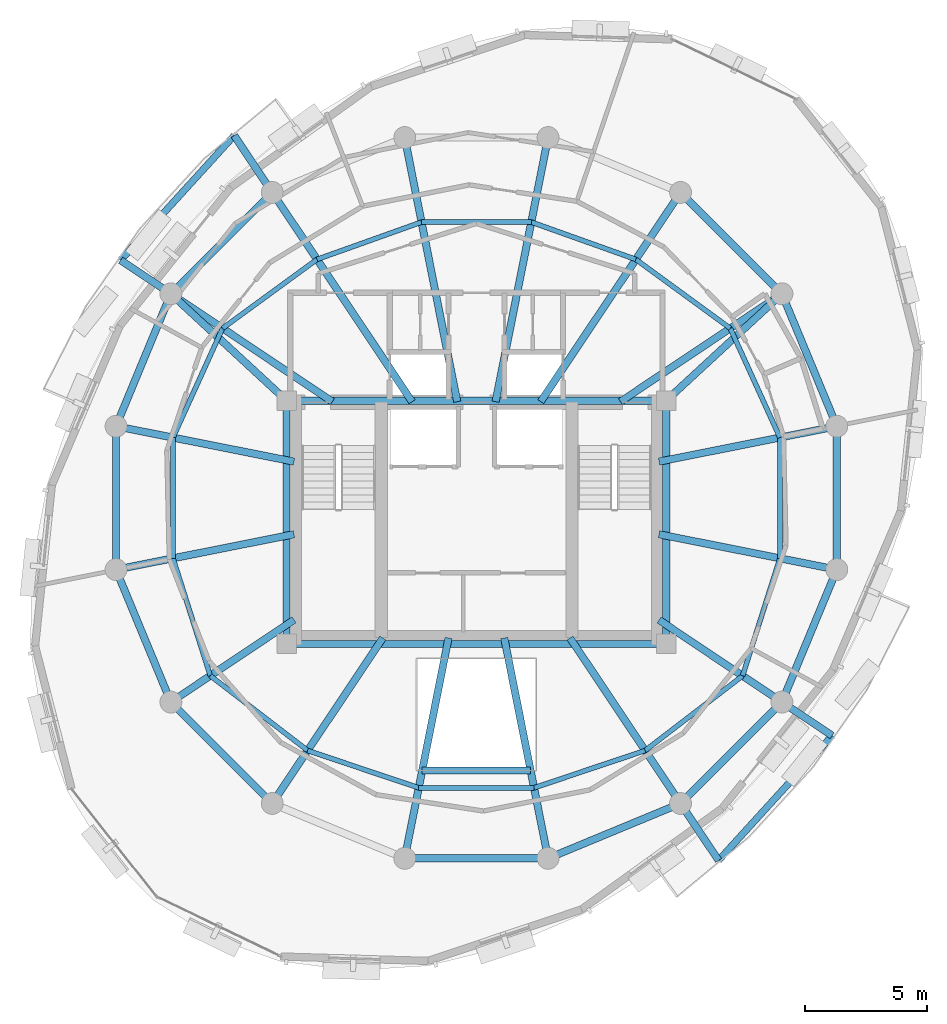
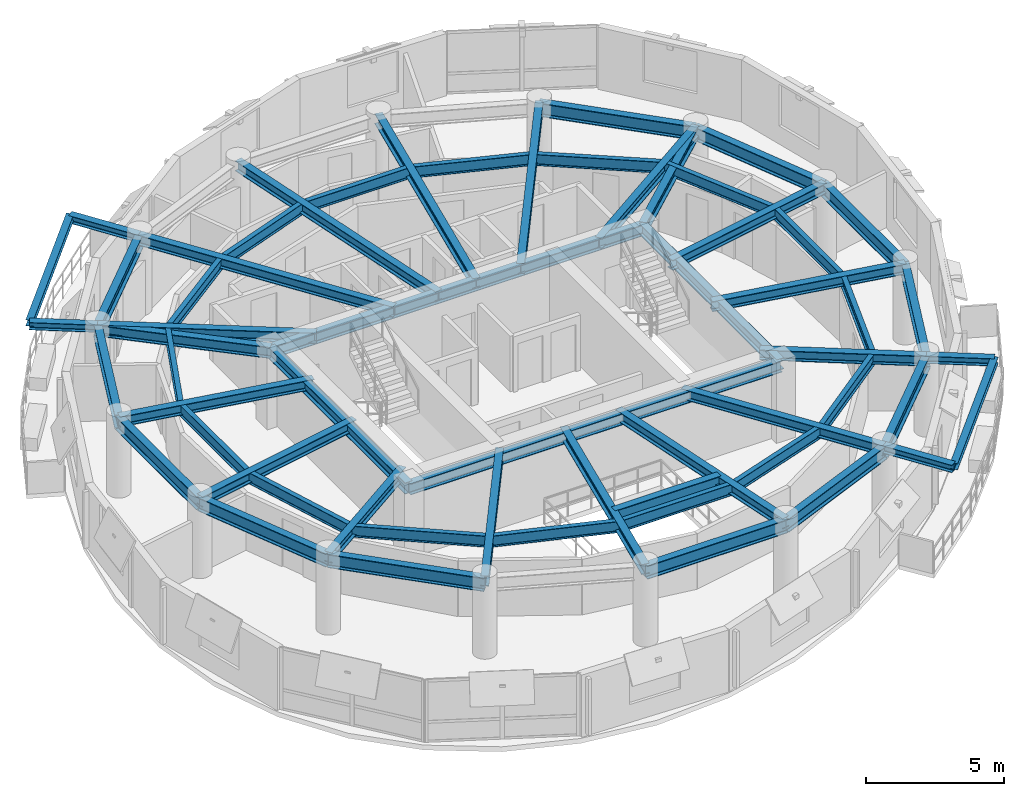
# One storey, part 3 of 11: 57 beams.
"""IFC4 building model written with IfcOpenShell, lengths in metres."""

import ifcopenshell
import ifcopenshell.guid

model = None  # the IFC model being written
_history = None  # IfcOwnerHistory: only IFC2X3 demands one
_inside = {}  # id of a spatial element -> (the spatial element, [elements in it])
_under = {}  # id of a project, library or spatial element -> (it, [spatial elements below it])
_declared = {}  # id of a project -> (the project, [libraries it declares])
_typed = {}  # id of a type object -> (the type object, [elements of that type])
_made_of = {}  # id of a material, layer set ... -> (it, [elements and type objects made of it])


def new_model(schema):
    """Start an empty IFC model of exactly this schema.

    Asked for "IFC4X3", IfcOpenShell would pick the latest addendum, in which some entities
    have other attributes; the version numbers below select the first issue.
    IFC2X3 requires an IfcOwnerHistory on every rooted entity: one is made here for all.
    """
    global model, _history
    if schema == "IFC4X3":
        model = ifcopenshell.file(schema_version=(4, 3, 0, 0))
    else:
        model = ifcopenshell.file(schema=schema)
    _inside.clear()
    _under.clear()
    _declared.clear()
    _typed.clear()
    _made_of.clear()
    _history = None
    if model.schema == "IFC2X3":
        org = make("IfcOrganization", Name="unknown")
        user = make(
            "IfcPersonAndOrganization",
            ThePerson=make("IfcPerson", FamilyName="unknown"),
            TheOrganization=org,
        )
        app = make(
            "IfcApplication",
            ApplicationDeveloper=org,
            Version="unknown",
            ApplicationFullName="unknown",
            ApplicationIdentifier="unknown",
        )
        _history = make(
            "IfcOwnerHistory",
            OwningUser=user,
            OwningApplication=app,
            ChangeAction="ADDED",
            CreationDate=0,
        )
    return model


def make(cls, **values):
    """One entity of the class cls with the attributes given. An attribute that is None is left unset."""
    return model.create_entity(
        cls, **{name: value for name, value in values.items() if value is not None}
    )


def rooted(cls, **values):
    """An entity with a GlobalId (a new one), such as an element, a storey or a relation."""
    return make(cls, GlobalId=ifcopenshell.guid.new(), OwnerHistory=_history, **values)


def si_unit(unit_type, name, prefix=None):
    """IfcSIUnit, for example si_unit("LENGTHUNIT", "METRE", prefix="MILLI")."""
    return make("IfcSIUnit", UnitType=unit_type, Prefix=prefix, Name=name)


def assignment(units):
    """IfcUnitAssignment: the units of a project."""
    return None if units is None else make("IfcUnitAssignment", Units=units)


def point(xyz):
    """IfcCartesianPoint."""
    return None if xyz is None else make("IfcCartesianPoint", Coordinates=xyz)


def direction(xyz):
    """IfcDirection."""
    return None if xyz is None else make("IfcDirection", DirectionRatios=xyz)


def frame(location, z_axis=None, x_axis=None):
    """IfcAxis2Placement3D, a coordinate frame: its origin and axes. An axis left out is left unset."""
    return make(
        "IfcAxis2Placement3D",
        Location=point(location),
        Axis=direction(z_axis),
        RefDirection=direction(x_axis),
    )


def frame_2d(location, x_axis=None):
    """IfcAxis2Placement2D, a coordinate frame in the plane: its origin and x axis."""
    return make(
        "IfcAxis2Placement2D", Location=point(location), RefDirection=direction(x_axis)
    )


def origin():
    """The frame at (0, 0, 0) with its axes left unset."""
    return frame((0.0, 0.0, 0.0))


def origin_2d():
    """The frame at (0, 0) in the plane with its x axis left unset."""
    return frame_2d((0.0, 0.0))


def place(relative_to, where):
    """IfcLocalPlacement: puts the frame where relative to a parent placement (None: the world)."""
    return make(
        "IfcLocalPlacement", PlacementRelTo=relative_to, RelativePlacement=where
    )


def context(
    kind, dimensions, precision=None, world=None, true_north=None, identifier=None
):
    """IfcGeometricRepresentationContext, for example the 3D "Model" context."""
    return make(
        "IfcGeometricRepresentationContext",
        ContextIdentifier=identifier,
        ContextType=kind,
        CoordinateSpaceDimension=dimensions,
        Precision=precision,
        WorldCoordinateSystem=world,
        TrueNorth=true_north,
    )


def subcontext(parent, identifier, kind, view, scale=None):
    """IfcGeometricRepresentationSubContext, for example "Body" below "Model"."""
    return make(
        "IfcGeometricRepresentationSubContext",
        ContextIdentifier=identifier,
        ContextType=kind,
        ParentContext=parent,
        TargetScale=scale,
        TargetView=view,
    )


def project(units=None, contexts=None):
    """IfcProject with its units and contexts."""
    return rooted(
        "IfcProject",
        Name="project",
        RepresentationContexts=contexts,
        UnitsInContext=assignment(units),
    )


def spatial(cls, under=None, at=None, **own):
    """A site, building, storey or space (cls), placed at a placement, below another one or the project."""
    s = rooted(cls, ObjectPlacement=at, **own)
    if under is not None:
        _under.setdefault(under.id(), (under, []))[1].append(s)
    return s


def profile(cls, at=None, kind="AREA", **sizes):
    """A parametric profile (cls). Its sizes go by their IFC names, for example OverallWidth=200.0."""
    return make(cls, ProfileType=kind, Position=at, **sizes)


def i_section(**sizes):
    """IfcIShapeProfileDef."""
    return profile("IfcIShapeProfileDef", **sizes)


def extrude(swept, where, along, depth):
    """IfcExtrudedAreaSolid: the profile swept, set in the frame where, extruded along a direction by depth."""
    return make(
        "IfcExtrudedAreaSolid",
        SweptArea=swept,
        Position=where,
        ExtrudedDirection=direction(along),
        Depth=depth,
    )


def shape(context_of_items, identifier, shape_type, items):
    """IfcShapeRepresentation: the items that make up one representation, for example the "Body"."""
    return make(
        "IfcShapeRepresentation",
        ContextOfItems=context_of_items,
        RepresentationIdentifier=identifier,
        RepresentationType=shape_type,
        Items=items,
    )


def material(Name=None, Category=None):
    """IfcMaterial."""
    return make("IfcMaterial", Name=Name, Category=Category)


def material_profile(
    of_material, cross_section, Name=None, Category=None, Priority=None
):
    """IfcMaterialProfile: a cross section and its material."""
    return make(
        "IfcMaterialProfile",
        Name=Name,
        Material=of_material,
        Profile=cross_section,
        Priority=Priority,
        Category=Category,
    )


def profile_set(profiles, Name=None, composite=None):
    """IfcMaterialProfileSet."""
    return make(
        "IfcMaterialProfileSet",
        Name=Name,
        MaterialProfiles=profiles,
        CompositeProfile=composite,
    )


def made_of(thing, what):
    """Note that an element or type object is made of a material, layer set ...; save() writes the relation."""
    if what is not None:
        _made_of.setdefault(what.id(), (what, []))[1].append(thing)
    return thing


def type_object(cls, material=None, **own):
    """A type object (cls), such as IfcWallType, which elements share."""
    return made_of(rooted(cls, **own), material)


def element(
    cls,
    number,
    at=None,
    inside=None,
    cuts=None,
    type_object=None,
    material=None,
    context=None,
    identifier="Body",
    shape_type=None,
    held_by="IfcProductDefinitionShape",
    body=None,
    shapes=None,
    **own,
):
    """One element of the class cls, such as IfcWall. Its Tag is "e" and its number.

    at: its placement. inside: the storey or other place that contains it. cuts: it is an
    opening in that element (IfcRelVoidsElement). A single representation is given by context,
    identifier, shape_type and body (its items); several are given by shapes. held_by: the class
    of the entity that holds the representations. save() writes the other relations.
    """
    e = rooted(cls, Tag="e%d" % number, ObjectPlacement=at, **own)
    if body is not None:
        shapes = [shape(context, identifier, shape_type, body)]
    if shapes is not None:
        e.Representation = make(held_by, Representations=shapes)
    if inside is not None:
        _inside.setdefault(inside.id(), (inside, []))[1].append(e)
    if cuts is not None:
        rooted(
            "IfcRelVoidsElement", RelatingBuildingElement=cuts, RelatedOpeningElement=e
        )
    if type_object is not None:
        _typed.setdefault(type_object.id(), (type_object, []))[1].append(e)
    return made_of(e, material)


def aggregate(whole, parts):
    """IfcRelAggregates: a whole, such as a stair, and the parts it consists of."""
    return rooted("IfcRelAggregates", RelatingObject=whole, RelatedObjects=parts)


def save(model, path):
    """Write the relations noted so far, then the file.

    IfcRelAggregates (storeys below a building ...), IfcRelContainedInSpatialStructure (elements
    in a storey), IfcRelDefinesByType, IfcRelAssociatesMaterial and IfcRelDeclares: one each for
    every whole, place, type object, material and project.
    """
    for whole, parts in _under.values():
        aggregate(whole, parts)
    for where, things in _inside.values():
        rooted(
            "IfcRelContainedInSpatialStructure",
            RelatedElements=things,
            RelatingStructure=where,
        )
    for kind, things in _typed.values():
        rooted("IfcRelDefinesByType", RelatedObjects=things, RelatingType=kind)
    for what, things in _made_of.values():
        rooted("IfcRelAssociatesMaterial", RelatedObjects=things, RelatingMaterial=what)
    for by, libraries in _declared.values():
        rooted("IfcRelDeclares", RelatingContext=by, RelatedDefinitions=libraries)
    model.write(path)


model = new_model("IFC4")

# Units and contexts
model_context = context("Model", 3, precision=1e-05, world=origin(), true_north=direction((0.0, 1.0)))
body_context = subcontext(model_context, "Body", "Model", "MODEL_VIEW")
ifc_project = project(units=[si_unit("LENGTHUNIT", "METRE"), si_unit("AREAUNIT", "SQUARE_METRE"), si_unit("VOLUMEUNIT", "CUBIC_METRE"), si_unit("PLANEANGLEUNIT", "RADIAN"), si_unit("MASSUNIT", "GRAM", prefix="KILO"), si_unit("THERMODYNAMICTEMPERATUREUNIT", "KELVIN"), si_unit("POWERUNIT", "WATT")], contexts=[model_context])

# Site, building, storey
site_placement = place(None, origin())
site = spatial("IfcSite", under=ifc_project, at=site_placement, CompositionType="ELEMENT")
building_placement = place(site_placement, origin())
building = spatial("IfcBuilding", under=site, at=building_placement, Name="Ocrelia Relay Tower", CompositionType="ELEMENT")
storey_placement = place(building_placement, frame((0.0, 0.0, 244.800048828125)))
storey = spatial("IfcBuildingStorey", under=building, at=storey_placement, Name="L60", CompositionType="ELEMENT", Elevation=244.800048828125)

# Beams
ifc_material = material(Name="Steel S355", Category="steel")
ifc_material_profile_1 = material_profile(ifc_material, i_section(OverallWidth=0.280029296875, OverallDepth=0.27001953125, WebThickness=0.008056640625, FlangeThickness=0.012939453125, FilletRadius=0.02392578125, at=origin_2d()), Name="HEA 280")
ifc_profile_set_1 = profile_set([ifc_material_profile_1], Name="Steel S355")
beam_type_1 = type_object("IfcBeamType", Name="BM-HEA280", PredefinedType="BEAM", material=ifc_profile_set_1)
for number, where, z_axis, x_axis, name in (
    (1, (24.047607421875, 40.89501953125, 3.244873046875), (-0.673247509808, -0.739417196539, 0.0), (0.739417196539, -0.673247509808, 0.0), "L61 Balcony Edge Trimmer Beam B1"),
    (2, (43.952392578125, 11.10498046875, 3.244873046875), (0.673247509808, 0.739417196539, 0.0), (-0.739417196539, 0.673247509808, 0.0), "L61 Balcony Edge Trimmer Beam B2"),
):
    element("IfcBeam", number, at=place(storey_placement, frame(where, z_axis=z_axis, x_axis=x_axis)), inside=storey, type_object=beam_type_1, Name=name, PredefinedType="BEAM", context=body_context, shape_type="SweptSolid", body=[
        extrude(i_section(OverallWidth=0.280029296875, OverallDepth=0.27001953125, WebThickness=0.008056640625, FlangeThickness=0.012939453125, FilletRadius=0.02392578125, at=origin_2d()), origin(), (0.0, 0.0, 1.0), 6.932861328125),
    ])
ifc_material_profile_2 = material_profile(ifc_material, i_section(OverallWidth=0.300048828125, OverallDepth=0.330078125, WebThickness=0.009521484375, FlangeThickness=0.0166015625, FilletRadius=0.027099609375, at=origin_2d()), Name="HEA 340")
ifc_profile_set_2 = profile_set([ifc_material_profile_2], Name="Steel S355")
beam_type_2 = type_object("IfcBeamType", Name="BM-HEA340", PredefinedType="BEAM", material=ifc_profile_set_2)
beam_1_placement = place(storey_placement, frame((25.61083984375, 38.55517578125, 3.21484375), z_axis=(-0.555520804214, 0.831502637449, 0.0), x_axis=(-0.831502637449, -0.555520804214, 0.0)))
element("IfcBeam", 3, at=beam_1_placement, inside=storey, type_object=beam_type_2, Name="L61 Balcony Cantilever Beam B1-1", PredefinedType="BEAM", context=body_context, shape_type="SweptSolid", body=[
    extrude(i_section(OverallWidth=0.300048828125, OverallDepth=0.330078125, WebThickness=0.009521484375, FlangeThickness=0.0166015625, FilletRadius=0.027099609375, at=origin_2d()), origin(), (0.0, 0.0, 1.0), 2.81396484375),
])
beam_2_placement = place(storey_placement, frame((21.44482421875, 34.38916015625, 3.21484375), z_axis=(-0.831459926768, 0.555584728174, 0.0), x_axis=(-0.555584728174, -0.831459926768, 0.0)))
element("IfcBeam", 4, at=beam_2_placement, inside=storey, type_object=beam_type_2, Name="L61 Balcony Cantilever Beam B1-2", PredefinedType="BEAM", context=body_context, shape_type="SweptSolid", body=[
    extrude(i_section(OverallWidth=0.300048828125, OverallDepth=0.330078125, WebThickness=0.009521484375, FlangeThickness=0.0166015625, FilletRadius=0.027099609375, at=origin_2d()), origin(), (0.0, 0.0, 1.0), 2.483154296875),
])
beam_3_placement = place(storey_placement, frame((42.38916015625, 13.44482421875, 3.21484375), z_axis=(0.555520804214, -0.831502637449, 0.0), x_axis=(0.831502637449, 0.555520804214, 0.0)))
element("IfcBeam", 5, at=beam_3_placement, inside=storey, type_object=beam_type_2, Name="L61 Balcony Cantilever Beam B2-1", PredefinedType="BEAM", context=body_context, shape_type="SweptSolid", body=[
    extrude(i_section(OverallWidth=0.300048828125, OverallDepth=0.330078125, WebThickness=0.009521484375, FlangeThickness=0.0166015625, FilletRadius=0.027099609375, at=origin_2d()), origin(), (0.0, 0.0, 1.0), 2.81396484375),
])
beam_4_placement = place(storey_placement, frame((46.55517578125, 17.61083984375, 3.21484375), z_axis=(0.831459926768, -0.555584728174, 0.0), x_axis=(0.555584728174, 0.831459926768, 0.0)))
element("IfcBeam", 6, at=beam_4_placement, inside=storey, type_object=beam_type_2, Name="L61 Balcony Cantilever Beam B2-2", PredefinedType="BEAM", context=body_context, shape_type="SweptSolid", body=[
    extrude(i_section(OverallWidth=0.300048828125, OverallDepth=0.330078125, WebThickness=0.009521484375, FlangeThickness=0.0166015625, FilletRadius=0.027099609375, at=origin_2d()), origin(), (0.0, 0.0, 1.0), 2.483154296875),
])
ifc_material_profile_3 = material_profile(ifc_material, i_section(OverallWidth=0.300048828125, OverallDepth=0.449951171875, WebThickness=0.013916015625, FlangeThickness=0.02587890625, FilletRadius=0.027099609375, at=origin_2d()), Name="HEB 450")
ifc_profile_set_3 = profile_set([ifc_material_profile_3], Name="Steel S355")
beam_type_3 = type_object("IfcBeamType", Name="BM-HEB450", PredefinedType="BEAM", material=ifc_profile_set_3)
beam_5_placement = place(storey_placement, frame((48.809814453125, 28.94580078125, 3.155029296875), z_axis=(-0.980789400571, -0.195069607393, 0.0), x_axis=(0.195069607393, -0.980789400571, 0.0)))
element("IfcBeam", 7, at=beam_5_placement, inside=storey, type_object=beam_type_3, Name="L60 Radial Floor Girder R01", PredefinedType="BEAM", context=body_context, shape_type="SweptSolid", body=[
    extrude(i_section(OverallWidth=0.300048828125, OverallDepth=0.449951171875, WebThickness=0.013916015625, FlangeThickness=0.02587890625, FilletRadius=0.027099609375, at=origin_2d()), origin(), (0.0, 0.0, 1.0), 7.447998046875),
])
beam_6_placement = place(storey_placement, frame((46.55517578125, 34.38916015625, 3.155029296875), z_axis=(-0.83146627118, -0.555575233331, 0.0), x_axis=(0.555575233331, -0.83146627118, 0.0)))
element("IfcBeam", 8, at=beam_6_placement, inside=storey, type_object=beam_type_3, Name="L60 Radial Floor Girder R02", PredefinedType="BEAM", context=body_context, shape_type="SweptSolid", body=[
    extrude(i_section(OverallWidth=0.300048828125, OverallDepth=0.449951171875, WebThickness=0.013916015625, FlangeThickness=0.02587890625, FilletRadius=0.027099609375, at=origin_2d()), origin(), (0.0, 0.0, 1.0), 7.98095703125),
])
beam_7_placement = place(storey_placement, frame((42.38916015625, 38.55517578125, 3.155029296875), z_axis=(-0.555582296999, -0.831461551283, 0.0), x_axis=(0.831461551283, -0.555582296999, 0.0)))
element("IfcBeam", 9, at=beam_7_placement, inside=storey, type_object=beam_type_3, Name="L60 Radial Floor Girder R03", PredefinedType="BEAM", context=body_context, shape_type="SweptSolid", body=[
    extrude(i_section(OverallWidth=0.300048828125, OverallDepth=0.449951171875, WebThickness=0.013916015625, FlangeThickness=0.02587890625, FilletRadius=0.027099609375, at=origin_2d()), origin(), (0.0, 0.0, 1.0), 10.34326171875),
])
for number, where, z_axis, x_axis, name in (
    (10, (36.94580078125, 40.809814453125, 3.155029296875), (-0.195093658495, -0.98078461673, 0.0), (0.98078461673, -0.195093658495, 0.0), "L60 Radial Floor Girder R04"),
    (11, (31.05419921875, 40.809814453125, 3.155029296875), (0.195093658495, -0.98078461673, 0.0), (0.98078461673, 0.195093658495, 0.0), "L60 Radial Floor Girder R05"),
):
    element("IfcBeam", number, at=place(storey_placement, frame(where, z_axis=z_axis, x_axis=x_axis)), inside=storey, type_object=beam_type_3, Name=name, PredefinedType="BEAM", context=body_context, shape_type="SweptSolid", body=[
        extrude(i_section(OverallWidth=0.300048828125, OverallDepth=0.449951171875, WebThickness=0.013916015625, FlangeThickness=0.02587890625, FilletRadius=0.027099609375, at=origin_2d()), origin(), (0.0, 0.0, 1.0), 11.0673828125),
    ])
beam_8_placement = place(storey_placement, frame((25.61083984375, 38.55517578125, 3.155029296875), z_axis=(0.555582296999, -0.831461551283, 0.0), x_axis=(0.831461551283, 0.555582296999, 0.0)))
element("IfcBeam", 12, at=beam_8_placement, inside=storey, type_object=beam_type_3, Name="L60 Radial Floor Girder R06", PredefinedType="BEAM", context=body_context, shape_type="SweptSolid", body=[
    extrude(i_section(OverallWidth=0.300048828125, OverallDepth=0.449951171875, WebThickness=0.013916015625, FlangeThickness=0.02587890625, FilletRadius=0.027099609375, at=origin_2d()), origin(), (0.0, 0.0, 1.0), 10.34326171875),
])
beam_9_placement = place(storey_placement, frame((21.44482421875, 34.38916015625, 3.155029296875), z_axis=(0.83146627118, -0.555575233331, 0.0), x_axis=(0.555575233331, 0.83146627118, 0.0)))
element("IfcBeam", 13, at=beam_9_placement, inside=storey, type_object=beam_type_3, Name="L60 Radial Floor Girder R07", PredefinedType="BEAM", context=body_context, shape_type="SweptSolid", body=[
    extrude(i_section(OverallWidth=0.300048828125, OverallDepth=0.449951171875, WebThickness=0.013916015625, FlangeThickness=0.02587890625, FilletRadius=0.027099609375, at=origin_2d()), origin(), (0.0, 0.0, 1.0), 7.98095703125),
])
for number, where, z_axis, x_axis, name in (
    (14, (19.190185546875, 28.94580078125, 3.155029296875), (0.980789122594, -0.195071005024, 0.0), (0.195071005024, 0.980789122594, 0.0), "L60 Radial Floor Girder R08"),
    (15, (19.190185546875, 23.05419921875, 3.155029296875), (0.980789122594, 0.195071005024, 0.0), (-0.195071005024, 0.980789122594, 0.0), "L60 Radial Floor Girder R09"),
):
    element("IfcBeam", number, at=place(storey_placement, frame(where, z_axis=z_axis, x_axis=x_axis)), inside=storey, type_object=beam_type_3, Name=name, PredefinedType="BEAM", context=body_context, shape_type="SweptSolid", body=[
        extrude(i_section(OverallWidth=0.300048828125, OverallDepth=0.449951171875, WebThickness=0.013916015625, FlangeThickness=0.02587890625, FilletRadius=0.027099609375, at=origin_2d()), origin(), (0.0, 0.0, 1.0), 7.4580078125),
    ])
beam_10_placement = place(storey_placement, frame((21.44482421875, 17.61083984375, 3.155029296875), z_axis=(0.831463505153, 0.555579372906, 0.0), x_axis=(-0.555579372906, 0.831463505153, 0.0)))
element("IfcBeam", 16, at=beam_10_placement, inside=storey, type_object=beam_type_3, Name="L60 Radial Floor Girder R10", PredefinedType="BEAM", context=body_context, shape_type="SweptSolid", body=[
    extrude(i_section(OverallWidth=0.300048828125, OverallDepth=0.449951171875, WebThickness=0.013916015625, FlangeThickness=0.02587890625, FilletRadius=0.027099609375, at=origin_2d()), origin(), (0.0, 0.0, 1.0), 6.085693359375),
])
beam_11_placement = place(storey_placement, frame((25.61083984375, 13.44482421875, 3.155029296875), z_axis=(0.555560991962, 0.831475786906, 0.0), x_axis=(-0.831475786906, 0.555560991962, 0.0)))
element("IfcBeam", 17, at=beam_11_placement, inside=storey, type_object=beam_type_3, Name="L60 Radial Floor Girder R11", PredefinedType="BEAM", context=body_context, shape_type="SweptSolid", body=[
    extrude(i_section(OverallWidth=0.300048828125, OverallDepth=0.449951171875, WebThickness=0.013916015625, FlangeThickness=0.02587890625, FilletRadius=0.027099609375, at=origin_2d()), origin(), (0.0, 0.0, 1.0), 8.178466796875),
])
for number, where, z_axis, x_axis, name in (
    (18, (31.05419921875, 11.190185546875, 3.155029296875), (0.195078600472, 0.98078761189, 0.0), (-0.98078761189, 0.195078600472, 0.0), "L60 Radial Floor Girder R12"),
    (19, (36.94580078125, 11.190185546875, 3.155029296875), (-0.195078600472, 0.98078761189, 0.0), (-0.98078761189, -0.195078600472, 0.0), "L60 Radial Floor Girder R13"),
):
    element("IfcBeam", number, at=place(storey_placement, frame(where, z_axis=z_axis, x_axis=x_axis)), inside=storey, type_object=beam_type_3, Name=name, PredefinedType="BEAM", context=body_context, shape_type="SweptSolid", body=[
        extrude(i_section(OverallWidth=0.300048828125, OverallDepth=0.449951171875, WebThickness=0.013916015625, FlangeThickness=0.02587890625, FilletRadius=0.027099609375, at=origin_2d()), origin(), (0.0, 0.0, 1.0), 9.232421875),
    ])
beam_12_placement = place(storey_placement, frame((42.38916015625, 13.44482421875, 3.155029296875), z_axis=(-0.555560991962, 0.831475786906, 0.0), x_axis=(-0.831475786906, -0.555560991962, 0.0)))
element("IfcBeam", 20, at=beam_12_placement, inside=storey, type_object=beam_type_3, Name="L60 Radial Floor Girder R14", PredefinedType="BEAM", context=body_context, shape_type="SweptSolid", body=[
    extrude(i_section(OverallWidth=0.300048828125, OverallDepth=0.449951171875, WebThickness=0.013916015625, FlangeThickness=0.02587890625, FilletRadius=0.027099609375, at=origin_2d()), origin(), (0.0, 0.0, 1.0), 8.178466796875),
])
beam_13_placement = place(storey_placement, frame((46.55517578125, 17.61083984375, 3.155029296875), z_axis=(-0.831468559595, 0.555571808504, 0.0), x_axis=(-0.555571808504, -0.831468559595, 0.0)))
element("IfcBeam", 21, at=beam_13_placement, inside=storey, type_object=beam_type_3, Name="L60 Radial Floor Girder R15", PredefinedType="BEAM", context=body_context, shape_type="SweptSolid", body=[
    extrude(i_section(OverallWidth=0.300048828125, OverallDepth=0.449951171875, WebThickness=0.013916015625, FlangeThickness=0.02587890625, FilletRadius=0.027099609375, at=origin_2d()), origin(), (0.0, 0.0, 1.0), 6.073974609375),
])
beam_14_placement = place(storey_placement, frame((48.809814453125, 23.05419921875, 3.155029296875), z_axis=(-0.980789400571, 0.195069607393, 0.0), x_axis=(-0.195069607393, -0.980789400571, 0.0)))
element("IfcBeam", 22, at=beam_14_placement, inside=storey, type_object=beam_type_3, Name="L60 Radial Floor Girder R16", PredefinedType="BEAM", context=body_context, shape_type="SweptSolid", body=[
    extrude(i_section(OverallWidth=0.300048828125, OverallDepth=0.449951171875, WebThickness=0.013916015625, FlangeThickness=0.02587890625, FilletRadius=0.027099609375, at=origin_2d()), origin(), (0.0, 0.0, 1.0), 7.447998046875),
])
ifc_material_profile_4 = material_profile(ifc_material, i_section(OverallWidth=0.300048828125, OverallDepth=0.5, WebThickness=0.014404296875, FlangeThickness=0.028076171875, FilletRadius=0.027099609375, at=origin_2d()), Name="HEB 500")
ifc_profile_set_4 = profile_set([ifc_material_profile_4], Name="Steel S355")
beam_type_4 = type_object("IfcBeamType", Name="BM-HEB500", PredefinedType="BEAM", material=ifc_profile_set_4)
for number, where, z_axis, x_axis, name in (
    (23, (26.199951171875, 20.0, 3.1298828125), (1.0, 0.0, 0.0), (0.0, 1.0, 0.0), "L60 Core Pilaster Tie Beam S"),
    (24, (26.199951171875, 30.0, 3.1298828125), (1.0, 0.0, 0.0), (0.0, 1.0, 0.0), "L60 Core Pilaster Tie Beam N"),
):
    element("IfcBeam", number, at=place(storey_placement, frame(where, z_axis=z_axis, x_axis=x_axis)), inside=storey, type_object=beam_type_4, Name=name, PredefinedType="BEAM", context=body_context, shape_type="SweptSolid", body=[
        extrude(i_section(OverallWidth=0.300048828125, OverallDepth=0.5, WebThickness=0.014404296875, FlangeThickness=0.028076171875, FilletRadius=0.027099609375, at=origin_2d()), origin(), (0.0, 0.0, 1.0), 15.60009765625),
    ])
for number, where, z_axis, x_axis, name in (
    (25, (26.199951171875, 20.0, 3.1298828125), (0.0, 1.0, 0.0), (-1.0, 0.0, 0.0), "L60 Core Pilaster Tie Beam W"),
    (26, (41.800048828125, 20.0, 3.1298828125), (0.0, 1.0, 0.0), (-1.0, 0.0, 0.0), "L60 Core Pilaster Tie Beam E"),
):
    element("IfcBeam", number, at=place(storey_placement, frame(where, z_axis=z_axis, x_axis=x_axis)), inside=storey, type_object=beam_type_4, Name=name, PredefinedType="BEAM", context=body_context, shape_type="SweptSolid", body=[
        extrude(i_section(OverallWidth=0.300048828125, OverallDepth=0.5, WebThickness=0.014404296875, FlangeThickness=0.028076171875, FilletRadius=0.027099609375, at=origin_2d()), origin(), (0.0, 0.0, 1.0), 10.0),
    ])
for number, where, z_axis, x_axis, name in (
    (27, (46.55517578125, 34.38916015625, 3.1298828125), (-0.734817908666, -0.678264433023, 0.0), (0.678264433023, -0.734817908666, 0.0), "L60 Core Pilaster Frame Tie Beam PT02"),
    (28, (21.44482421875, 34.38916015625, 3.1298828125), (0.734817908666, -0.678264433023, 0.0), (0.678264433023, 0.734817908666, 0.0), "L60 Core Pilaster Frame Tie Beam PT07"),
):
    element("IfcBeam", number, at=place(storey_placement, frame(where, z_axis=z_axis, x_axis=x_axis)), inside=storey, type_object=beam_type_4, Name=name, PredefinedType="BEAM", context=body_context, shape_type="SweptSolid", body=[
        extrude(i_section(OverallWidth=0.300048828125, OverallDepth=0.5, WebThickness=0.014404296875, FlangeThickness=0.028076171875, FilletRadius=0.027099609375, at=origin_2d()), origin(), (0.0, 0.0, 1.0), 6.47119140625),
    ])
ifc_material_profile_5 = material_profile(ifc_material, i_section(OverallWidth=0.300048828125, OverallDepth=0.550048828125, WebThickness=0.014892578125, FlangeThickness=0.029052734375, FilletRadius=0.027099609375, at=origin_2d()), Name="HEB 550")
ifc_profile_set_5 = profile_set([ifc_material_profile_5], Name="Steel S355")
beam_type_5 = type_object("IfcBeamType", Name="BM-HEB550", PredefinedType="BEAM", material=ifc_profile_set_5)
beam_15_placement = place(storey_placement, frame((31.772216796875, 14.800048828125, 3.10498046875), z_axis=(1.0, 0.0, 0.0), x_axis=(0.0, 1.0, 0.0)))
element("IfcBeam", 29, at=beam_15_placement, inside=storey, type_object=beam_type_5, Name="L60 Atrium South Trimmer Beam", PredefinedType="BEAM", context=body_context, shape_type="SweptSolid", body=[
    extrude(i_section(OverallWidth=0.300048828125, OverallDepth=0.550048828125, WebThickness=0.014892578125, FlangeThickness=0.029052734375, FilletRadius=0.027099609375, at=origin_2d()), origin(), (0.0, 0.0, 1.0), 4.45556640625),
])
ifc_material_profile_6 = material_profile(ifc_material, i_section(OverallWidth=0.300048828125, OverallDepth=0.60009765625, WebThickness=0.015380859375, FlangeThickness=0.030029296875, FilletRadius=0.027099609375, at=origin_2d()), Name="HEB 600")
ifc_profile_set_6 = profile_set([ifc_material_profile_6], Name="Steel S355")
beam_type_6 = type_object("IfcBeamType", Name="BM-HEB600", PredefinedType="BEAM", material=ifc_profile_set_6)
beam_16_placement = place(storey_placement, frame((48.809814453125, 28.94580078125, 3.079833984375), z_axis=(-0.382672624084, 0.923884009374, 0.0), x_axis=(-0.923884009374, -0.382672624084, 0.0)))
element("IfcBeam", 30, at=beam_16_placement, inside=storey, type_object=beam_type_6, Name="L60 Perimeter Spandrel Beam S01", PredefinedType="BEAM", context=body_context, shape_type="SweptSolid", body=[
    extrude(i_section(OverallWidth=0.300048828125, OverallDepth=0.60009765625, WebThickness=0.015380859375, FlangeThickness=0.030029296875, FilletRadius=0.027099609375, at=origin_2d()), origin(), (0.0, 0.0, 1.0), 5.891845703125),
])
for number, where, z_axis, x_axis, name in (
    (31, (46.55517578125, 34.38916015625, 3.079833984375), (-0.707106781187, 0.707106781187, 0.0), (-0.707106781187, -0.707106781187, 0.0), "L60 Perimeter Spandrel Beam S02"),
    (32, (25.61083984375, 38.55517578125, 3.079833984375), (-0.707106781187, -0.707106781187, 0.0), (0.707106781187, -0.707106781187, 0.0), "L60 Perimeter Spandrel Beam S06"),
):
    element("IfcBeam", number, at=place(storey_placement, frame(where, z_axis=z_axis, x_axis=x_axis)), inside=storey, type_object=beam_type_6, Name=name, PredefinedType="BEAM", context=body_context, shape_type="SweptSolid", body=[
        extrude(i_section(OverallWidth=0.300048828125, OverallDepth=0.60009765625, WebThickness=0.015380859375, FlangeThickness=0.030029296875, FilletRadius=0.027099609375, at=origin_2d()), origin(), (0.0, 0.0, 1.0), 5.8916015625),
    ])
beam_17_placement = place(storey_placement, frame((21.44482421875, 34.38916015625, 3.079833984375), z_axis=(-0.382672624084, -0.923884009374, 0.0), x_axis=(0.923884009374, -0.382672624084, 0.0)))
element("IfcBeam", 33, at=beam_17_placement, inside=storey, type_object=beam_type_6, Name="L60 Perimeter Spandrel Beam S07", PredefinedType="BEAM", context=body_context, shape_type="SweptSolid", body=[
    extrude(i_section(OverallWidth=0.300048828125, OverallDepth=0.60009765625, WebThickness=0.015380859375, FlangeThickness=0.030029296875, FilletRadius=0.027099609375, at=origin_2d()), origin(), (0.0, 0.0, 1.0), 5.891845703125),
])
beam_18_placement = place(storey_placement, frame((19.190185546875, 28.94580078125, 3.079833984375), z_axis=(0.0, -1.0, 0.0), x_axis=(1.0, 0.0, 0.0)))
element("IfcBeam", 34, at=beam_18_placement, inside=storey, type_object=beam_type_6, Name="L60 Perimeter Spandrel Beam S08", PredefinedType="BEAM", context=body_context, shape_type="SweptSolid", body=[
    extrude(i_section(OverallWidth=0.300048828125, OverallDepth=0.60009765625, WebThickness=0.015380859375, FlangeThickness=0.030029296875, FilletRadius=0.027099609375, at=origin_2d()), origin(), (0.0, 0.0, 1.0), 5.8916015625),
])
beam_19_placement = place(storey_placement, frame((19.190185546875, 23.05419921875, 3.079833984375), z_axis=(0.382672624084, -0.923884009374, 0.0), x_axis=(0.923884009374, 0.382672624084, 0.0)))
element("IfcBeam", 35, at=beam_19_placement, inside=storey, type_object=beam_type_6, Name="L60 Perimeter Spandrel Beam S09", PredefinedType="BEAM", context=body_context, shape_type="SweptSolid", body=[
    extrude(i_section(OverallWidth=0.300048828125, OverallDepth=0.60009765625, WebThickness=0.015380859375, FlangeThickness=0.030029296875, FilletRadius=0.027099609375, at=origin_2d()), origin(), (0.0, 0.0, 1.0), 5.891845703125),
])
for number, where, z_axis, x_axis, name in (
    (36, (21.44482421875, 17.61083984375, 3.079833984375), (0.707106781187, -0.707106781187, 0.0), (0.707106781187, 0.707106781187, 0.0), "L60 Perimeter Spandrel Beam S10"),
    (37, (31.05419921875, 11.190185546875, 3.079833984375), (1.0, 0.0, 0.0), (0.0, 1.0, 0.0), "L60 Perimeter Spandrel Beam S12"),
):
    element("IfcBeam", number, at=place(storey_placement, frame(where, z_axis=z_axis, x_axis=x_axis)), inside=storey, type_object=beam_type_6, Name=name, PredefinedType="BEAM", context=body_context, shape_type="SweptSolid", body=[
        extrude(i_section(OverallWidth=0.300048828125, OverallDepth=0.60009765625, WebThickness=0.015380859375, FlangeThickness=0.030029296875, FilletRadius=0.027099609375, at=origin_2d()), origin(), (0.0, 0.0, 1.0), 5.8916015625),
    ])
beam_20_placement = place(storey_placement, frame((36.94580078125, 11.190185546875, 3.079833984375), z_axis=(0.923884009374, 0.382672624084, 0.0), x_axis=(-0.382672624084, 0.923884009374, 0.0)))
element("IfcBeam", 38, at=beam_20_placement, inside=storey, type_object=beam_type_6, Name="L60 Perimeter Spandrel Beam S13", PredefinedType="BEAM", context=body_context, shape_type="SweptSolid", body=[
    extrude(i_section(OverallWidth=0.300048828125, OverallDepth=0.60009765625, WebThickness=0.015380859375, FlangeThickness=0.030029296875, FilletRadius=0.027099609375, at=origin_2d()), origin(), (0.0, 0.0, 1.0), 5.891845703125),
])
beam_21_placement = place(storey_placement, frame((42.38916015625, 13.44482421875, 3.079833984375), z_axis=(0.707106781187, 0.707106781187, 0.0), x_axis=(-0.707106781187, 0.707106781187, 0.0)))
element("IfcBeam", 39, at=beam_21_placement, inside=storey, type_object=beam_type_6, Name="L60 Perimeter Spandrel Beam S14", PredefinedType="BEAM", context=body_context, shape_type="SweptSolid", body=[
    extrude(i_section(OverallWidth=0.300048828125, OverallDepth=0.60009765625, WebThickness=0.015380859375, FlangeThickness=0.030029296875, FilletRadius=0.027099609375, at=origin_2d()), origin(), (0.0, 0.0, 1.0), 5.8916015625),
])
beam_22_placement = place(storey_placement, frame((46.55517578125, 17.61083984375, 3.079833984375), z_axis=(0.382672624084, 0.923884009374, 0.0), x_axis=(-0.923884009374, 0.382672624084, 0.0)))
element("IfcBeam", 40, at=beam_22_placement, inside=storey, type_object=beam_type_6, Name="L60 Perimeter Spandrel Beam S15", PredefinedType="BEAM", context=body_context, shape_type="SweptSolid", body=[
    extrude(i_section(OverallWidth=0.300048828125, OverallDepth=0.60009765625, WebThickness=0.015380859375, FlangeThickness=0.030029296875, FilletRadius=0.027099609375, at=origin_2d()), origin(), (0.0, 0.0, 1.0), 5.891845703125),
])
beam_23_placement = place(storey_placement, frame((48.809814453125, 23.05419921875, 3.079833984375), z_axis=(0.0, 1.0, 0.0), x_axis=(-1.0, 0.0, 0.0)))
element("IfcBeam", 41, at=beam_23_placement, inside=storey, type_object=beam_type_6, Name="L60 Perimeter Spandrel Beam S16", PredefinedType="BEAM", context=body_context, shape_type="SweptSolid", body=[
    extrude(i_section(OverallWidth=0.300048828125, OverallDepth=0.60009765625, WebThickness=0.015380859375, FlangeThickness=0.030029296875, FilletRadius=0.027099609375, at=origin_2d()), origin(), (0.0, 0.0, 1.0), 5.8916015625),
])
ifc_material_profile_7 = material_profile(ifc_material, i_section(OverallWidth=0.199951171875, OverallDepth=0.5, WebThickness=0.01025390625, FlangeThickness=0.01611328125, FilletRadius=0.02099609375, at=origin_2d()), Name="IPE 500")
ifc_profile_set_7 = profile_set([ifc_material_profile_7], Name="Steel S355")
beam_type_7 = type_object("IfcBeamType", Name="BM-IPE500", PredefinedType="JOIST", material=ifc_profile_set_7)
beam_24_placement = place(storey_placement, frame((46.472412109375, 28.48095703125, 3.1298828125), z_axis=(-0.413836514443, 0.91035121756, 0.0), x_axis=(-0.91035121756, -0.413836514443, 0.0)))
element("IfcBeam", 42, at=beam_24_placement, inside=storey, type_object=beam_type_7, Name="L60 Secondary Floor Joist J01", PredefinedType="JOIST", context=body_context, shape_type="SweptSolid", body=[
    extrude(i_section(OverallWidth=0.199951171875, OverallDepth=0.5, WebThickness=0.01025390625, FlangeThickness=0.01611328125, FilletRadius=0.02099609375, at=origin_2d()), origin(), (0.0, 0.0, 1.0), 4.931396484375),
])
beam_25_placement = place(storey_placement, frame((44.431640625, 32.97021484375, 3.1298828125), z_axis=(-0.80774844416, 0.58952731146, 0.0), x_axis=(-0.58952731146, -0.80774844416, 0.0)))
element("IfcBeam", 43, at=beam_25_placement, inside=storey, type_object=beam_type_7, Name="L60 Secondary Floor Joist J02", PredefinedType="JOIST", context=body_context, shape_type="SweptSolid", body=[
    extrude(i_section(OverallWidth=0.199951171875, OverallDepth=0.5, WebThickness=0.01025390625, FlangeThickness=0.01611328125, FilletRadius=0.02099609375, at=origin_2d()), origin(), (0.0, 0.0, 1.0), 4.80517578125),
])
beam_26_placement = place(storey_placement, frame((40.55029296875, 35.802978515625, 3.1298828125), z_axis=(-0.94180245035, 0.336166840298, 0.0), x_axis=(-0.336166840298, -0.94180245035, 0.0)))
element("IfcBeam", 44, at=beam_26_placement, inside=storey, type_object=beam_type_7, Name="L60 Secondary Floor Joist J03", PredefinedType="JOIST", context=body_context, shape_type="SweptSolid", body=[
    extrude(i_section(OverallWidth=0.199951171875, OverallDepth=0.5, WebThickness=0.01025390625, FlangeThickness=0.01611328125, FilletRadius=0.02099609375, at=origin_2d()), origin(), (0.0, 0.0, 1.0), 4.560791015625),
])
beam_27_placement = place(storey_placement, frame((36.2548828125, 37.336181640625, 3.1298828125), z_axis=(-1.0, 0.0, 0.0), x_axis=(0.0, -1.0, 0.0)))
element("IfcBeam", 45, at=beam_27_placement, inside=storey, type_object=beam_type_7, Name="L60 Secondary Floor Joist J04", PredefinedType="JOIST", context=body_context, shape_type="SweptSolid", body=[
    extrude(i_section(OverallWidth=0.199951171875, OverallDepth=0.5, WebThickness=0.01025390625, FlangeThickness=0.01611328125, FilletRadius=0.02099609375, at=origin_2d()), origin(), (0.0, 0.0, 1.0), 4.509765625),
])
beam_28_placement = place(storey_placement, frame((31.7451171875, 37.336181640625, 3.1298828125), z_axis=(-0.94180245035, -0.336166840298, 0.0), x_axis=(0.336166840298, -0.94180245035, 0.0)))
element("IfcBeam", 46, at=beam_28_placement, inside=storey, type_object=beam_type_7, Name="L60 Secondary Floor Joist J05", PredefinedType="JOIST", context=body_context, shape_type="SweptSolid", body=[
    extrude(i_section(OverallWidth=0.199951171875, OverallDepth=0.5, WebThickness=0.01025390625, FlangeThickness=0.01611328125, FilletRadius=0.02099609375, at=origin_2d()), origin(), (0.0, 0.0, 1.0), 4.560791015625),
])
beam_29_placement = place(storey_placement, frame((27.44970703125, 35.802978515625, 3.1298828125), z_axis=(-0.80774844416, -0.58952731146, 0.0), x_axis=(0.58952731146, -0.80774844416, 0.0)))
element("IfcBeam", 47, at=beam_29_placement, inside=storey, type_object=beam_type_7, Name="L60 Secondary Floor Joist J06", PredefinedType="JOIST", context=body_context, shape_type="SweptSolid", body=[
    extrude(i_section(OverallWidth=0.199951171875, OverallDepth=0.5, WebThickness=0.01025390625, FlangeThickness=0.01611328125, FilletRadius=0.02099609375, at=origin_2d()), origin(), (0.0, 0.0, 1.0), 4.80517578125),
])
beam_30_placement = place(storey_placement, frame((23.568359375, 32.97021484375, 3.1298828125), z_axis=(-0.413205957462, -0.910637599003, 0.0), x_axis=(0.910637599003, -0.413205957462, 0.0)))
element("IfcBeam", 48, at=beam_30_placement, inside=storey, type_object=beam_type_7, Name="L60 Secondary Floor Joist J07", PredefinedType="JOIST", context=body_context, shape_type="SweptSolid", body=[
    extrude(i_section(OverallWidth=0.199951171875, OverallDepth=0.5, WebThickness=0.01025390625, FlangeThickness=0.01611328125, FilletRadius=0.02099609375, at=origin_2d()), origin(), (0.0, 0.0, 1.0), 4.9306640625),
])
beam_31_placement = place(storey_placement, frame((21.531005859375, 28.480224609375, 3.1298828125), z_axis=(0.0, -1.0, 0.0), x_axis=(1.0, 0.0, 0.0)))
element("IfcBeam", 49, at=beam_31_placement, inside=storey, type_object=beam_type_7, Name="L60 Secondary Floor Joist J08", PredefinedType="JOIST", context=body_context, shape_type="SweptSolid", body=[
    extrude(i_section(OverallWidth=0.199951171875, OverallDepth=0.5, WebThickness=0.01025390625, FlangeThickness=0.01611328125, FilletRadius=0.02099609375, at=origin_2d()), origin(), (0.0, 0.0, 1.0), 4.96044921875),
])
beam_32_placement = place(storey_placement, frame((21.531005859375, 23.519775390625, 3.1298828125), z_axis=(0.302732054046, -0.953075707094, 0.0), x_axis=(0.953075707094, 0.302732054046, 0.0)))
element("IfcBeam", 50, at=beam_32_placement, inside=storey, type_object=beam_type_7, Name="L60 Secondary Floor Joist J09", PredefinedType="JOIST", context=body_context, shape_type="SweptSolid", body=[
    extrude(i_section(OverallWidth=0.199951171875, OverallDepth=0.5, WebThickness=0.01025390625, FlangeThickness=0.01611328125, FilletRadius=0.02099609375, at=origin_2d()), origin(), (0.0, 0.0, 1.0), 5.064453125),
])
beam_33_placement = place(storey_placement, frame((23.064208984375, 18.69287109375, 3.1298828125), z_axis=(0.793147291367, -0.60902986314, 0.0), x_axis=(0.60902986314, 0.793147291367, 0.0)))
element("IfcBeam", 51, at=beam_33_placement, inside=storey, type_object=beam_type_7, Name="L60 Secondary Floor Joist J10", PredefinedType="JOIST", context=body_context, shape_type="SweptSolid", body=[
    extrude(i_section(OverallWidth=0.199951171875, OverallDepth=0.5, WebThickness=0.01025390625, FlangeThickness=0.01611328125, FilletRadius=0.02099609375, at=origin_2d()), origin(), (0.0, 0.0, 1.0), 5.044189453125),
])
beam_34_placement = place(storey_placement, frame((27.06494140625, 15.620849609375, 3.1298828125), z_axis=(0.947976335242, -0.318340804519, 0.0), x_axis=(0.318340804519, 0.947976335242, 0.0)))
element("IfcBeam", 52, at=beam_34_placement, inside=storey, type_object=beam_type_7, Name="L60 Secondary Floor Joist J11", PredefinedType="JOIST", context=body_context, shape_type="SweptSolid", body=[
    extrude(i_section(OverallWidth=0.199951171875, OverallDepth=0.5, WebThickness=0.01025390625, FlangeThickness=0.01611328125, FilletRadius=0.02099609375, at=origin_2d()), origin(), (0.0, 0.0, 1.0), 4.816162109375),
])
beam_35_placement = place(storey_placement, frame((31.630615234375, 14.087646484375, 3.1298828125), z_axis=(1.0, 0.0, 0.0), x_axis=(0.0, 1.0, 0.0)))
element("IfcBeam", 53, at=beam_35_placement, inside=storey, type_object=beam_type_7, Name="L60 Secondary Floor Joist J12", PredefinedType="JOIST", context=body_context, shape_type="SweptSolid", body=[
    extrude(i_section(OverallWidth=0.199951171875, OverallDepth=0.5, WebThickness=0.01025390625, FlangeThickness=0.01611328125, FilletRadius=0.02099609375, at=origin_2d()), origin(), (0.0, 0.0, 1.0), 4.73876953125),
])
beam_36_placement = place(storey_placement, frame((36.369384765625, 14.087646484375, 3.1298828125), z_axis=(0.947976335242, 0.318340804519, 0.0), x_axis=(-0.318340804519, 0.947976335242, 0.0)))
element("IfcBeam", 54, at=beam_36_placement, inside=storey, type_object=beam_type_7, Name="L60 Secondary Floor Joist J13", PredefinedType="JOIST", context=body_context, shape_type="SweptSolid", body=[
    extrude(i_section(OverallWidth=0.199951171875, OverallDepth=0.5, WebThickness=0.01025390625, FlangeThickness=0.01611328125, FilletRadius=0.02099609375, at=origin_2d()), origin(), (0.0, 0.0, 1.0), 4.816162109375),
])
beam_37_placement = place(storey_placement, frame((40.93505859375, 15.620849609375, 3.1298828125), z_axis=(0.793608697717, 0.608428496134, 0.0), x_axis=(-0.608428496134, 0.793608697717, 0.0)))
element("IfcBeam", 55, at=beam_37_placement, inside=storey, type_object=beam_type_7, Name="L60 Secondary Floor Joist J14", PredefinedType="JOIST", context=body_context, shape_type="SweptSolid", body=[
    extrude(i_section(OverallWidth=0.199951171875, OverallDepth=0.5, WebThickness=0.01025390625, FlangeThickness=0.01611328125, FilletRadius=0.02099609375, at=origin_2d()), origin(), (0.0, 0.0, 1.0), 5.04541015625),
])
beam_38_placement = place(storey_placement, frame((44.939208984375, 18.690673828125, 3.1298828125), z_axis=(0.302648624063, 0.953102203519, 0.0), x_axis=(-0.953102203519, 0.302648624063, 0.0)))
element("IfcBeam", 56, at=beam_38_placement, inside=storey, type_object=beam_type_7, Name="L60 Secondary Floor Joist J15", PredefinedType="JOIST", context=body_context, shape_type="SweptSolid", body=[
    extrude(i_section(OverallWidth=0.199951171875, OverallDepth=0.5, WebThickness=0.01025390625, FlangeThickness=0.01611328125, FilletRadius=0.02099609375, at=origin_2d()), origin(), (0.0, 0.0, 1.0), 5.06591796875),
])
beam_39_placement = place(storey_placement, frame((46.472412109375, 23.51904296875, 3.1298828125), z_axis=(0.0, 1.0, 0.0), x_axis=(-1.0, 0.0, 0.0)))
element("IfcBeam", 57, at=beam_39_placement, inside=storey, type_object=beam_type_7, Name="L60 Secondary Floor Joist J16", PredefinedType="JOIST", context=body_context, shape_type="SweptSolid", body=[
    extrude(i_section(OverallWidth=0.199951171875, OverallDepth=0.5, WebThickness=0.01025390625, FlangeThickness=0.01611328125, FilletRadius=0.02099609375, at=origin_2d()), origin(), (0.0, 0.0, 1.0), 4.9619140625),
])

save(model, "model.ifc")
